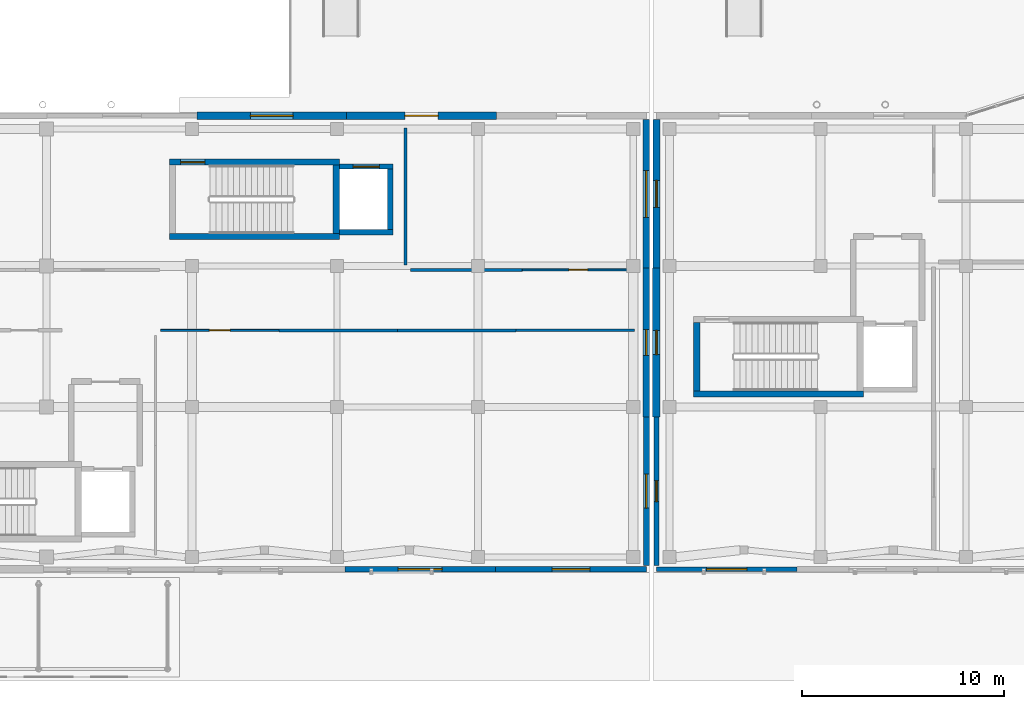
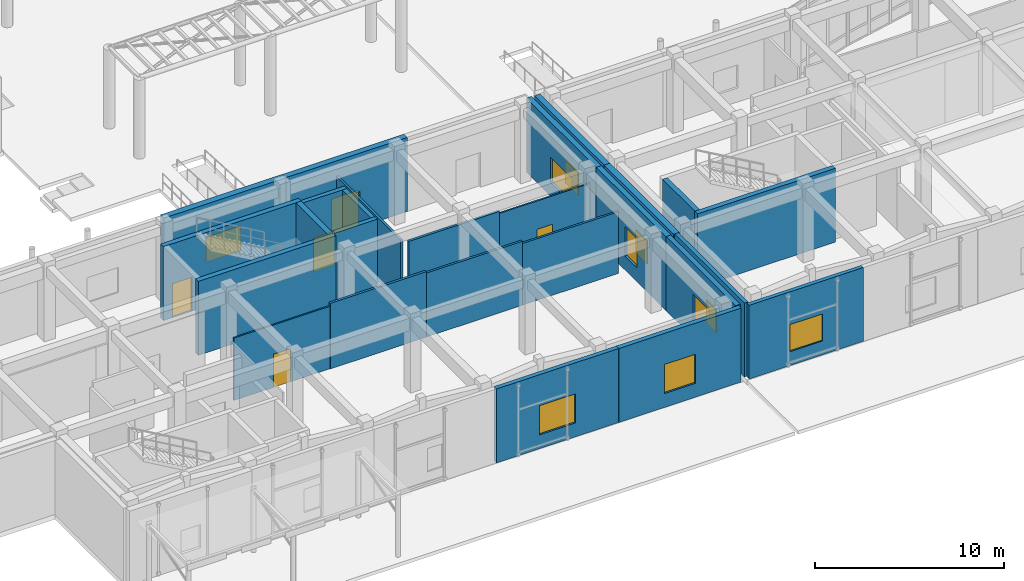
# One storey, part 96 of 121: 26 walls, 10 windows, 5 doors, 15 openings.
"""IFC4 building model written with IfcOpenShell, lengths in metres."""

from ifc_helpers import new_model, si_unit, direction, frame, frame_2d, origin, place, context, subcontext, project, spatial, rectangle, extrude, material, layer, layer_set, type_object, element, fill, save


model = new_model("IFC4")

# Units and contexts
model_context = context("Model", 3, precision=1e-05, world=origin(), true_north=direction((0.0, 1.0)))
body_context = subcontext(model_context, "Body", "Model", "MODEL_VIEW")
ifc_project = project(units=[si_unit("LENGTHUNIT", "METRE"), si_unit("AREAUNIT", "SQUARE_METRE"), si_unit("VOLUMEUNIT", "CUBIC_METRE"), si_unit("PLANEANGLEUNIT", "RADIAN"), si_unit("MASSUNIT", "GRAM", prefix="KILO")], contexts=[model_context])

# Site, building, storey
site_placement = place(None, origin())
site = spatial("IfcSite", under=ifc_project, at=site_placement, CompositionType="ELEMENT")
building_placement = place(site_placement, origin())
building = spatial("IfcBuilding", under=site, at=building_placement, Name="Valcora Specialist Clinic", CompositionType="ELEMENT")
storey_placement = place(building_placement, origin())
storey = spatial("IfcBuildingStorey", under=building, at=storey_placement, Name="L00", CompositionType="ELEMENT", Elevation=0.0)

# Wall
ifc_material_1 = material(Name="Concrete C40/50", Category="concrete")
ifc_layer_1 = layer(ifc_material_1, 0.300048828125)
ifc_layer_set_1 = layer_set([ifc_layer_1], Name="Concrete C40/50")
wall_type_1 = type_object("IfcWallType", Name="TY-WL-CR300", PredefinedType="SHEAR", material=ifc_layer_set_1)
wall_1_placement = place(storey_placement, frame((29.5, 16.64990234375, 0.0), z_axis=(0.0, 0.0, 1.0), x_axis=(1.0, 0.0, 0.0)))
element("IfcWall", 1, at=wall_1_placement, inside=storey, type_object=wall_type_1, Name="Core shear wall WL-CR-C-V5B-L00-S", PredefinedType="SHEAR", context=body_context, shape_type="SweptSolid", body=[
    extrude(rectangle(XDim=8.419921875, YDim=0.300048828125, at=frame_2d((4.2099609375, 0.0))), origin(), (0.0, 0.0, 1.0), 4.784912109375),
])

# Wall, opening, door
wall_2_placement = place(storey_placement, frame((29.5, 20.35009765625, 0.0), z_axis=(0.0, 0.0, 1.0), x_axis=(1.0, 0.0, 0.0)))
wall_2 = element("IfcWall", 2, at=wall_2_placement, inside=storey, type_object=wall_type_1, Name="Core shear wall WL-CR-C-V5B-L00-N", PredefinedType="SHEAR", context=body_context, shape_type="SweptSolid", body=[
    extrude(rectangle(XDim=8.419921875, YDim=0.300048828125, at=frame_2d((4.2099609375, 0.0))), origin(), (0.0, 0.0, 1.0), 4.784912109375),
])
opening_1_placement = place(wall_2_placement, frame((0.550048828125, 0.0, 0.0)))
opening_1 = element("IfcOpeningElement", 3, at=opening_1_placement, cuts=wall_2, Name="Opening DR-FD-120", PredefinedType="OPENING", context=body_context, shape_type="SweptSolid", body=[
    extrude(rectangle(XDim=1.199951171875, YDim=2.199951171875, at=frame_2d((0.60009765625, 1.10009765625))), frame((0.0, 0.159912109375, 0.0), z_axis=(0.0, -1.0, 0.0), x_axis=(1.0, 0.0, 0.0)), (0.0, 0.0, 1.0), 0.320068359375),
])
ifc_material_2 = material(Name="Galvanized Hollow Metal Door Steel ASTM A653", Category="steel")
door_type_1 = type_object("IfcDoorType", Name="TY-DR-ST120", OperationType="NOTDEFINED", PredefinedType="DOOR", material=ifc_material_2)
door_1_placement = place(opening_1_placement, origin())
door_1 = element("IfcDoor", 4, at=door_1_placement, inside=storey, type_object=door_type_1, Name="Exit stair fire door C-V5B L00", OperationType="SINGLE_SWING_LEFT", OverallHeight=2.199951171875, OverallWidth=1.199951171875, PredefinedType="DOOR", context=body_context, shape_type="SweptSolid", body=[
    extrude(rectangle(XDim=1.199951171875, YDim=2.199951171875, at=frame_2d((0.60009765625, 1.10009765625))), frame((0.0, 0.02490234375, 0.0), z_axis=(0.0, -1.0, 0.0), x_axis=(1.0, 0.0, 0.0)), (0.0, 0.0, 1.0), 0.050048828125),
])
fill(opening_1, door_1)

# Walls
wall_3_placement = place(storey_placement, frame((55.5, 8.85009765625, 0.0), z_axis=(0.0, 0.0, 1.0), x_axis=(1.0, 0.0, 0.0)))
element("IfcWall", 5, at=wall_3_placement, inside=storey, type_object=wall_type_1, Name="Core shear wall WL-CR-C-V6A-L00-S", PredefinedType="SHEAR", context=body_context, shape_type="SweptSolid", body=[
    extrude(rectangle(XDim=8.419921875, YDim=0.300048828125, at=frame_2d((4.2099609375, 0.0))), origin(), (0.0, 0.0, 1.0), 4.77001953125),
])
wall_4_placement = place(storey_placement, frame((55.64990234375, 9.001953125, 0.0), z_axis=(0.0, 0.0, 1.0), x_axis=(0.0, 1.0, 0.0)))
element("IfcWall", 6, at=wall_4_placement, inside=storey, type_object=wall_type_1, Name="Core shear wall WL-CR-C-V6A-L00-W", PredefinedType="SHEAR", context=body_context, shape_type="SweptSolid", body=[
    extrude(rectangle(XDim=3.39599609375, YDim=0.300048828125, at=frame_2d((1.697998046875, 0.0))), origin(), (0.0, 0.0, 1.0), 4.77001953125),
])
ifc_layer_2 = layer(ifc_material_1, 0.320068359375)
ifc_layer_set_2 = layer_set([ifc_layer_2], Name="Concrete C40/50")
wall_type_2 = type_object("IfcWallType", Name="TY-WL-CR320", PredefinedType="SHEAR", material=ifc_layer_set_2)
wall_5_placement = place(storey_placement, frame((37.760009765625, 16.802001953125, 0.0), z_axis=(0.0, 0.0, 1.0), x_axis=(0.0, 1.0, 0.0)))
element("IfcWall", 7, at=wall_5_placement, inside=storey, type_object=wall_type_2, Name="Core shear wall WL-CR-C-V5B-L00-E", PredefinedType="SHEAR", context=body_context, shape_type="SweptSolid", body=[
    extrude(rectangle(XDim=3.39599609375, YDim=0.320068359375, at=frame_2d((1.697998046875, 0.0))), origin(), (0.0, 0.0, 1.0), 4.784912109375),
])

# Wall, opening, window
ifc_material_3 = material(Name="Extruded Jalisco Clay Brick Masonry", Category="masonry")
ifc_layer_3 = layer(ifc_material_3, 0.235107421875)
ifc_layer_set_3 = layer_set([ifc_layer_3], Name="Extruded Jalisco Clay Brick Masonry")
wall_type_3 = type_object("IfcWallType", Name="TY-WL-EW235", PredefinedType="SOLIDWALL", material=ifc_layer_set_3)
wall_6_placement = place(storey_placement, frame((53.64990234375, 0.340087890625, 0.0), z_axis=(0.0, 0.0, 1.0), x_axis=(0.0, 1.0, 0.0)))
wall_6 = element("IfcWall", 8, at=wall_6_placement, inside=storey, type_object=wall_type_3, Name="Exterior wall WL-EXT-L00-0300", PredefinedType="SOLIDWALL", context=body_context, shape_type="SweptSolid", body=[
    extrude(rectangle(XDim=7.373291015625, YDim=0.235107421875, at=frame_2d((3.6865234375, 0.0))), origin(), (0.0, 0.0, 1.0), 4.77001953125),
])
opening_2_placement = place(wall_6_placement, frame((3.162109375, 0.0, 0.89990234375)))
opening_2 = element("IfcOpeningElement", 9, at=opening_2_placement, cuts=wall_6, Name="Opening WN-02", PredefinedType="OPENING", context=body_context, shape_type="SweptSolid", body=[
    extrude(rectangle(XDim=1.050048828125, YDim=1.5, at=frame_2d((0.52490234375, 0.75))), frame((0.0, 0.12744140625, 0.0), z_axis=(0.0, -1.0, 0.0), x_axis=(1.0, 0.0, 0.0)), (0.0, 0.0, 1.0), 0.255126953125),
])
ifc_material_4 = material(Name="Low-E Laminated Insulating Glass", Category="glass")
window_type_1 = type_object("IfcWindowType", Name="TY-WN-02", PartitioningType="SINGLE_PANEL", PredefinedType="WINDOW", material=ifc_material_4)
window_1_placement = place(opening_2_placement, origin())
window_1 = element("IfcWindow", 10, at=window_1_placement, inside=storey, type_object=window_type_1, Name="Facade window WN-L00-0254", OverallHeight=1.5, OverallWidth=1.050048828125, PartitioningType="SINGLE_PANEL", PredefinedType="WINDOW", context=body_context, shape_type="SweptSolid", body=[
    extrude(rectangle(XDim=1.050048828125, YDim=1.5, at=frame_2d((0.52490234375, 0.75))), frame((0.0, 0.030029296875, 0.0), z_axis=(0.0, -1.0, 0.0), x_axis=(1.0, 0.0, 0.0)), (0.0, 0.0, 1.0), 0.06005859375),
])
fill(opening_2, window_1)

wall_7_placement = place(storey_placement, frame((60.6298828125, 0.14990234375, 0.0), z_axis=(0.0, 0.0, 1.0), x_axis=(-1.0, 0.0, 0.0)))
wall_7 = element("IfcWall", 11, at=wall_7_placement, inside=storey, type_object=wall_type_3, Name="Exterior wall WL-EXT-L00-0320", PredefinedType="SOLIDWALL", context=body_context, shape_type="SweptSolid", body=[
    extrude(rectangle(XDim=6.97998046875, YDim=0.235107421875, at=frame_2d((3.489990234375, 0.0))), origin(), (0.0, 0.0, 1.0), 4.77001953125),
])
opening_3_placement = place(wall_7_placement, frame((2.489990234375, 0.0, 0.89990234375)))
opening_3 = element("IfcOpeningElement", 12, at=opening_3_placement, cuts=wall_7, Name="Opening WN-18", PredefinedType="OPENING", context=body_context, shape_type="SweptSolid", body=[
    extrude(rectangle(XDim=2.0, YDim=1.75, at=frame_2d((1.0, 0.875))), frame((0.0, 0.12744140625, 0.0), z_axis=(0.0, -1.0, 0.0), x_axis=(1.0, 0.0, 0.0)), (0.0, 0.0, 1.0), 0.255126953125),
])
window_type_2 = type_object("IfcWindowType", Name="TY-WN-18", PartitioningType="SINGLE_PANEL", PredefinedType="WINDOW", material=ifc_material_4)
window_2_placement = place(opening_3_placement, origin())
window_2 = element("IfcWindow", 13, at=window_2_placement, inside=storey, type_object=window_type_2, Name="Facade window WN-L00-0270", OverallHeight=1.75, OverallWidth=2.0, PartitioningType="SINGLE_PANEL", PredefinedType="WINDOW", context=body_context, shape_type="SweptSolid", body=[
    extrude(rectangle(XDim=2.0, YDim=1.75, at=frame_2d((1.0, 0.875))), frame((0.0, 0.030029296875, 0.0), z_axis=(0.0, -1.0, 0.0), x_axis=(1.0, 0.0, 0.0)), (0.0, 0.0, 1.0), 0.06005859375),
])
fill(opening_3, window_2)

ifc_layer_4 = layer(ifc_material_3, 0.264892578125)
ifc_layer_set_4 = layer_set([ifc_layer_4], Name="Extruded Jalisco Clay Brick Masonry")
wall_type_4 = type_object("IfcWallType", Name="TY-WL-EW265", PredefinedType="SOLIDWALL", material=ifc_layer_set_4)
wall_8_placement = place(storey_placement, frame((45.669921875, 0.14990234375, 0.0), z_axis=(0.0, 0.0, 1.0), x_axis=(-1.0, 0.0, 0.0)))
wall_8 = element("IfcWall", 14, at=wall_8_placement, inside=storey, type_object=wall_type_4, Name="Exterior wall WL-EXT-L00-0238", PredefinedType="SOLIDWALL", context=body_context, shape_type="SweptSolid", body=[
    extrude(rectangle(XDim=7.47998046875, YDim=0.264892578125, at=frame_2d((3.739990234375, 0.0))), origin(), (0.0, 0.0, 1.0), 4.784912109375),
])
opening_4_placement = place(wall_8_placement, frame((2.64990234375, 0.0, 0.89990234375)))
opening_4 = element("IfcOpeningElement", 15, at=opening_4_placement, cuts=wall_8, Name="Opening WN-42", PredefinedType="OPENING", context=body_context, shape_type="SweptSolid", body=[
    extrude(rectangle(XDim=2.179931640625, YDim=1.8798828125, at=frame_2d((1.08984375, 0.93994140625))), frame((0.0, 0.142333984375, 0.0), z_axis=(0.0, -1.0, 0.0), x_axis=(1.0, 0.0, 0.0)), (0.0, 0.0, 1.0), 0.284912109375),
])
window_type_3 = type_object("IfcWindowType", Name="TY-WN-42", PartitioningType="SINGLE_PANEL", PredefinedType="WINDOW", material=ifc_material_4)
window_3_placement = place(opening_4_placement, origin())
window_3 = element("IfcWindow", 16, at=window_3_placement, inside=storey, type_object=window_type_3, Name="Facade window WN-L00-0210", OverallHeight=1.8798828125, OverallWidth=2.179931640625, PartitioningType="SINGLE_PANEL", PredefinedType="WINDOW", context=body_context, shape_type="SweptSolid", body=[
    extrude(rectangle(XDim=2.179931640625, YDim=1.8798828125, at=frame_2d((1.08984375, 0.93994140625))), frame((0.0, 0.030029296875, 0.0), z_axis=(0.0, -1.0, 0.0), x_axis=(1.0, 0.0, 0.0)), (0.0, 0.0, 1.0), 0.06005859375),
])
fill(opening_4, window_3)

ifc_layer_5 = layer(ifc_material_3, 0.280029296875)
ifc_layer_set_5 = layer_set([ifc_layer_5], Name="Extruded Jalisco Clay Brick Masonry")
wall_type_5 = type_object("IfcWallType", Name="TY-WL-EW280", PredefinedType="SOLIDWALL", material=ifc_layer_set_5)
wall_9_placement = place(storey_placement, frame((53.14990234375, 0.14990234375, 0.0), z_axis=(0.0, 0.0, 1.0), x_axis=(-1.0, 0.0, 0.0)))
wall_9 = element("IfcWall", 17, at=wall_9_placement, inside=storey, type_object=wall_type_5, Name="Exterior wall WL-EXT-L00-0237", PredefinedType="SOLIDWALL", context=body_context, shape_type="SweptSolid", body=[
    extrude(rectangle(XDim=7.47998046875, YDim=0.280029296875, at=frame_2d((3.739990234375, 0.0))), origin(), (0.0, 0.0, 1.0), 4.784912109375),
])
opening_5_placement = place(wall_9_placement, frame((2.800048828125, 0.0, 0.89990234375)))
opening_5 = element("IfcOpeningElement", 18, at=opening_5_placement, cuts=wall_9, Name="Opening WN-41", PredefinedType="OPENING", context=body_context, shape_type="SweptSolid", body=[
    extrude(rectangle(XDim=1.8798828125, YDim=1.8798828125, at=frame_2d((0.93994140625, 0.93994140625))), frame((0.0, 0.14990234375, 0.0), z_axis=(0.0, -1.0, 0.0), x_axis=(1.0, 0.0, 0.0)), (0.0, 0.0, 1.0), 0.300048828125),
])
window_type_4 = type_object("IfcWindowType", Name="TY-WN-41", PartitioningType="SINGLE_PANEL", PredefinedType="WINDOW", material=ifc_material_4)
window_4_placement = place(opening_5_placement, origin())
window_4 = element("IfcWindow", 19, at=window_4_placement, inside=storey, type_object=window_type_4, Name="Facade window WN-L00-0209", OverallHeight=1.8798828125, OverallWidth=1.8798828125, PartitioningType="SINGLE_PANEL", PredefinedType="WINDOW", context=body_context, shape_type="SweptSolid", body=[
    extrude(rectangle(XDim=1.8798828125, YDim=1.8798828125, at=frame_2d((0.93994140625, 0.93994140625))), frame((0.0, 0.030029296875, 0.0), z_axis=(0.0, -1.0, 0.0), x_axis=(1.0, 0.0, 0.0)), (0.0, 0.0, 1.0), 0.06005859375),
])
fill(opening_5, window_4)

ifc_layer_6 = layer(ifc_material_3, 0.294921875)
ifc_layer_set_6 = layer_set([ifc_layer_6], Name="Extruded Jalisco Clay Brick Masonry")
wall_type_6 = type_object("IfcWallType", Name="TY-WL-EW295", PredefinedType="SOLIDWALL", material=ifc_layer_set_6)
wall_10_placement = place(storey_placement, frame((53.14990234375, 7.71337890625, 0.0), z_axis=(0.0, 0.0, 1.0), x_axis=(0.0, -1.0, 0.0)))
wall_10 = element("IfcWall", 20, at=wall_10_placement, inside=storey, type_object=wall_type_6, Name="Exterior wall WL-EXT-L00-0236", PredefinedType="SOLIDWALL", context=body_context, shape_type="SweptSolid", body=[
    extrude(rectangle(XDim=7.373291015625, YDim=0.294921875, at=frame_2d((3.6865234375, 0.0))), origin(), (0.0, 0.0, 1.0), 4.784912109375),
])
opening_6_placement = place(wall_10_placement, frame((2.846923828125, 0.0, 0.89990234375)))
opening_6 = element("IfcOpeningElement", 21, at=opening_6_placement, cuts=wall_10, Name="Opening WN-40", PredefinedType="OPENING", context=body_context, shape_type="SweptSolid", body=[
    extrude(rectangle(XDim=1.679931640625, YDim=1.8798828125, at=frame_2d((0.83984375, 0.93994140625))), frame((0.0, 0.157470703125, 0.0), z_axis=(0.0, -1.0, 0.0), x_axis=(1.0, 0.0, 0.0)), (0.0, 0.0, 1.0), 0.31494140625),
])
window_type_5 = type_object("IfcWindowType", Name="TY-WN-40", PartitioningType="SINGLE_PANEL", PredefinedType="WINDOW", material=ifc_material_4)
window_5_placement = place(opening_6_placement, origin())
window_5 = element("IfcWindow", 22, at=window_5_placement, inside=storey, type_object=window_type_5, Name="Facade window WN-L00-0208", OverallHeight=1.8798828125, OverallWidth=1.679931640625, PartitioningType="SINGLE_PANEL", PredefinedType="WINDOW", context=body_context, shape_type="SweptSolid", body=[
    extrude(rectangle(XDim=1.679931640625, YDim=1.8798828125, at=frame_2d((0.83984375, 0.93994140625))), frame((0.0, 0.030029296875, 0.0), z_axis=(0.0, -1.0, 0.0), x_axis=(1.0, 0.0, 0.0)), (0.0, 0.0, 1.0), 0.06005859375),
])
fill(opening_6, window_5)

ifc_layer_7 = layer(ifc_material_3, 0.31005859375)
ifc_layer_set_7 = layer_set([ifc_layer_7], Name="Extruded Jalisco Clay Brick Masonry")
wall_type_7 = type_object("IfcWallType", Name="TY-WL-EW310", PredefinedType="SOLIDWALL", material=ifc_layer_set_7)
wall_11_placement = place(storey_placement, frame((53.14990234375, 15.086669921875, 0.0), z_axis=(0.0, 0.0, 1.0), x_axis=(0.0, -1.0, 0.0)))
wall_11 = element("IfcWall", 23, at=wall_11_placement, inside=storey, type_object=wall_type_7, Name="Exterior wall WL-EXT-L00-0235", PredefinedType="SOLIDWALL", context=body_context, shape_type="SweptSolid", body=[
    extrude(rectangle(XDim=7.373291015625, YDim=0.31005859375, at=frame_2d((3.6865234375, 0.0))), origin(), (0.0, 0.0, 1.0), 4.784912109375),
])
opening_7_placement = place(wall_11_placement, frame((3.047119140625, 0.0, 0.89990234375)))
opening_7 = element("IfcOpeningElement", 24, at=opening_7_placement, cuts=wall_11, Name="Opening WN-39", PredefinedType="OPENING", context=body_context, shape_type="SweptSolid", body=[
    extrude(rectangle(XDim=1.280029296875, YDim=1.8798828125, at=frame_2d((0.64013671875, 0.93994140625))), frame((0.0, 0.1650390625, 0.0), z_axis=(0.0, -1.0, 0.0), x_axis=(1.0, 0.0, 0.0)), (0.0, 0.0, 1.0), 0.330078125),
])
window_type_6 = type_object("IfcWindowType", Name="TY-WN-39", PartitioningType="SINGLE_PANEL", PredefinedType="WINDOW", material=ifc_material_4)
window_6_placement = place(opening_7_placement, origin())
window_6 = element("IfcWindow", 25, at=window_6_placement, inside=storey, type_object=window_type_6, Name="Facade window WN-L00-0207", OverallHeight=1.8798828125, OverallWidth=1.280029296875, PartitioningType="SINGLE_PANEL", PredefinedType="WINDOW", context=body_context, shape_type="SweptSolid", body=[
    extrude(rectangle(XDim=1.280029296875, YDim=1.8798828125, at=frame_2d((0.64013671875, 0.93994140625))), frame((0.0, 0.030029296875, 0.0), z_axis=(0.0, -1.0, 0.0), x_axis=(1.0, 0.0, 0.0)), (0.0, 0.0, 1.0), 0.06005859375),
])
fill(opening_7, window_6)

ifc_layer_8 = layer(ifc_material_3, 0.324951171875)
ifc_layer_set_8 = layer_set([ifc_layer_8], Name="Extruded Jalisco Clay Brick Masonry")
wall_type_8 = type_object("IfcWallType", Name="TY-WL-EW325", PredefinedType="SOLIDWALL", material=ifc_layer_set_8)
wall_12_placement = place(storey_placement, frame((53.14990234375, 22.4599609375, 0.0), z_axis=(0.0, 0.0, 1.0), x_axis=(0.0, -1.0, 0.0)))
wall_12 = element("IfcWall", 26, at=wall_12_placement, inside=storey, type_object=wall_type_8, Name="Exterior wall WL-EXT-L00-0234", PredefinedType="SOLIDWALL", context=body_context, shape_type="SweptSolid", body=[
    extrude(rectangle(XDim=7.373291015625, YDim=0.324951171875, at=frame_2d((3.6865234375, 0.0))), origin(), (0.0, 0.0, 1.0), 4.784912109375),
])
opening_8_placement = place(wall_12_placement, frame((2.527099609375, 0.0, 0.89990234375)))
opening_8 = element("IfcOpeningElement", 27, at=opening_8_placement, cuts=wall_12, Name="Opening WN-38", PredefinedType="OPENING", context=body_context, shape_type="SweptSolid", body=[
    extrude(rectangle(XDim=2.320068359375, YDim=1.6201171875, at=frame_2d((1.16015625, 0.81005859375))), frame((0.0, 0.17236328125, 0.0), z_axis=(0.0, -1.0, 0.0), x_axis=(1.0, 0.0, 0.0)), (0.0, 0.0, 1.0), 0.344970703125),
])
window_type_7 = type_object("IfcWindowType", Name="TY-WN-38", PartitioningType="SINGLE_PANEL", PredefinedType="WINDOW", material=ifc_material_4)
window_7_placement = place(opening_8_placement, origin())
window_7 = element("IfcWindow", 28, at=window_7_placement, inside=storey, type_object=window_type_7, Name="Facade window WN-L00-0206", OverallHeight=1.6201171875, OverallWidth=2.320068359375, PartitioningType="SINGLE_PANEL", PredefinedType="WINDOW", context=body_context, shape_type="SweptSolid", body=[
    extrude(rectangle(XDim=2.320068359375, YDim=1.6201171875, at=frame_2d((1.16015625, 0.81005859375))), frame((0.0, 0.030029296875, 0.0), z_axis=(0.0, -1.0, 0.0), x_axis=(1.0, 0.0, 0.0)), (0.0, 0.0, 1.0), 0.06005859375),
])
fill(opening_8, window_7)

# Wall, opening, door
ifc_layer_9 = layer(ifc_material_3, 0.35498046875)
ifc_layer_set_9 = layer_set([ifc_layer_9], Name="Extruded Jalisco Clay Brick Masonry")
wall_type_9 = type_object("IfcWallType", Name="TY-WL-EW355", PredefinedType="SOLIDWALL", material=ifc_layer_set_9)
wall_13_placement = place(storey_placement, frame((38.283203125, 22.64990234375, 0.0), z_axis=(0.0, 0.0, 1.0), x_axis=(1.0, 0.0, 0.0)))
wall_13 = element("IfcWall", 29, at=wall_13_placement, inside=storey, type_object=wall_type_9, Name="Exterior wall WL-EXT-L00-0232", PredefinedType="SOLIDWALL", context=body_context, shape_type="SweptSolid", body=[
    extrude(rectangle(XDim=7.43359375, YDim=0.35498046875, at=frame_2d((3.716796875, 0.0))), origin(), (0.0, 0.0, 1.0), 4.784912109375),
])
opening_9_placement = place(wall_13_placement, frame((2.89208984375, 0.0, 0.0)))
opening_9 = element("IfcOpeningElement", 30, at=opening_9_placement, cuts=wall_13, Name="Opening DR-EX-165", PredefinedType="OPENING", context=body_context, shape_type="SweptSolid", body=[
    extrude(rectangle(XDim=1.64990234375, YDim=2.300048828125, at=frame_2d((0.824951171875, 1.14990234375))), frame((0.0, 0.1875, 0.0), z_axis=(0.0, -1.0, 0.0), x_axis=(1.0, 0.0, 0.0)), (0.0, 0.0, 1.0), 0.375),
])
ifc_material_5 = material(Name="Anodized Bronze Aluminium 6063-T6", Category="aluminium")
door_type_2 = type_object("IfcDoorType", Name="TY-DR-EX165", OperationType="NOTDEFINED", PredefinedType="DOOR", material=ifc_material_5)
door_2_placement = place(opening_9_placement, origin())
door_2 = element("IfcDoor", 31, at=door_2_placement, inside=storey, type_object=door_type_2, Name="Exterior door DR-EXT-L00-014", OperationType="SINGLE_SWING_RIGHT", OverallHeight=2.300048828125, OverallWidth=1.64990234375, PredefinedType="DOOR", context=body_context, shape_type="SweptSolid", body=[
    extrude(rectangle(XDim=1.64990234375, YDim=2.300048828125, at=frame_2d((0.824951171875, 1.14990234375))), frame((0.0, 0.02490234375, 0.0), z_axis=(0.0, -1.0, 0.0), x_axis=(1.0, 0.0, 0.0)), (0.0, 0.0, 1.0), 0.050048828125),
])
fill(opening_9, door_2)

# Wall, opening, window
wall_14_placement = place(storey_placement, frame((53.64990234375, 15.086669921875, 0.0), z_axis=(0.0, 0.0, 1.0), x_axis=(0.0, 1.0, 0.0)))
wall_14 = element("IfcWall", 32, at=wall_14_placement, inside=storey, type_object=wall_type_9, Name="Exterior wall WL-EXT-L00-0302", PredefinedType="SOLIDWALL", context=body_context, shape_type="SweptSolid", body=[
    extrude(rectangle(XDim=7.373291015625, YDim=0.35498046875, at=frame_2d((3.6865234375, 0.0))), origin(), (0.0, 0.0, 1.0), 4.77001953125),
])
opening_10_placement = place(wall_14_placement, frame((3.011962890625, 0.0, 0.89990234375)))
opening_10 = element("IfcOpeningElement", 33, at=opening_10_placement, cuts=wall_14, Name="Opening WN-04", PredefinedType="OPENING", context=body_context, shape_type="SweptSolid", body=[
    extrude(rectangle(XDim=1.35009765625, YDim=1.5, at=frame_2d((0.675048828125, 0.75))), frame((0.0, 0.1875, 0.0), z_axis=(0.0, -1.0, 0.0), x_axis=(1.0, 0.0, 0.0)), (0.0, 0.0, 1.0), 0.375),
])
window_type_8 = type_object("IfcWindowType", Name="TY-WN-04", PartitioningType="SINGLE_PANEL", PredefinedType="WINDOW", material=ifc_material_4)
window_8_placement = place(opening_10_placement, origin())
window_8 = element("IfcWindow", 34, at=window_8_placement, inside=storey, type_object=window_type_8, Name="Facade window WN-L00-0256", OverallHeight=1.5, OverallWidth=1.35009765625, PartitioningType="SINGLE_PANEL", PredefinedType="WINDOW", context=body_context, shape_type="SweptSolid", body=[
    extrude(rectangle(XDim=1.35009765625, YDim=1.5, at=frame_2d((0.675048828125, 0.75))), frame((0.0, 0.030029296875, 0.0), z_axis=(0.0, -1.0, 0.0), x_axis=(1.0, 0.0, 0.0)), (0.0, 0.0, 1.0), 0.06005859375),
])
fill(opening_10, window_8)

ifc_layer_10 = layer(ifc_material_3, 0.3701171875)
ifc_layer_set_10 = layer_set([ifc_layer_10], Name="Extruded Jalisco Clay Brick Masonry")
wall_type_10 = type_object("IfcWallType", Name="TY-WL-EW370", PredefinedType="SOLIDWALL", material=ifc_layer_set_10)
wall_15_placement = place(storey_placement, frame((30.85009765625, 22.64990234375, 0.0), z_axis=(0.0, 0.0, 1.0), x_axis=(1.0, 0.0, 0.0)))
wall_15 = element("IfcWall", 35, at=wall_15_placement, inside=storey, type_object=wall_type_10, Name="Exterior wall WL-EXT-L00-0231", PredefinedType="SOLIDWALL", context=body_context, shape_type="SweptSolid", body=[
    extrude(rectangle(XDim=7.43310546875, YDim=0.3701171875, at=frame_2d((3.716552734375, 0.0))), origin(), (0.0, 0.0, 1.0), 4.784912109375),
])
opening_11_placement = place(wall_15_placement, frame((2.656982421875, 0.0, 0.89990234375)))
opening_11 = element("IfcOpeningElement", 36, at=opening_11_placement, cuts=wall_15, Name="Opening WN-37", PredefinedType="OPENING", context=body_context, shape_type="SweptSolid", body=[
    extrude(rectangle(XDim=2.1201171875, YDim=1.6201171875, at=frame_2d((1.06005859375, 0.81005859375))), frame((0.0, 0.195068359375, 0.0), z_axis=(0.0, -1.0, 0.0), x_axis=(1.0, 0.0, 0.0)), (0.0, 0.0, 1.0), 0.39013671875),
])
window_type_9 = type_object("IfcWindowType", Name="TY-WN-37", PartitioningType="SINGLE_PANEL", PredefinedType="WINDOW", material=ifc_material_4)
window_9_placement = place(opening_11_placement, origin())
window_9 = element("IfcWindow", 37, at=window_9_placement, inside=storey, type_object=window_type_9, Name="Facade window WN-L00-0205", OverallHeight=1.6201171875, OverallWidth=2.1201171875, PartitioningType="SINGLE_PANEL", PredefinedType="WINDOW", context=body_context, shape_type="SweptSolid", body=[
    extrude(rectangle(XDim=2.1201171875, YDim=1.6201171875, at=frame_2d((1.06005859375, 0.81005859375))), frame((0.0, 0.030029296875, 0.0), z_axis=(0.0, -1.0, 0.0), x_axis=(1.0, 0.0, 0.0)), (0.0, 0.0, 1.0), 0.06005859375),
])
fill(opening_11, window_9)

wall_16_placement = place(storey_placement, frame((53.64990234375, 7.71337890625, 0.0), z_axis=(0.0, 0.0, 1.0), x_axis=(0.0, 1.0, 0.0)))
wall_16 = element("IfcWall", 38, at=wall_16_placement, inside=storey, type_object=wall_type_10, Name="Exterior wall WL-EXT-L00-0301", PredefinedType="SOLIDWALL", context=body_context, shape_type="SweptSolid", body=[
    extrude(rectangle(XDim=7.373291015625, YDim=0.3701171875, at=frame_2d((3.6865234375, 0.0))), origin(), (0.0, 0.0, 1.0), 4.77001953125),
])
opening_12_placement = place(wall_16_placement, frame((3.0869140625, 0.0, 0.89990234375)))
opening_12 = element("IfcOpeningElement", 39, at=opening_12_placement, cuts=wall_16, Name="Opening WN-03", PredefinedType="OPENING", context=body_context, shape_type="SweptSolid", body=[
    extrude(rectangle(XDim=1.199951171875, YDim=1.5, at=frame_2d((0.60009765625, 0.75))), frame((0.0, 0.195068359375, 0.0), z_axis=(0.0, -1.0, 0.0), x_axis=(1.0, 0.0, 0.0)), (0.0, 0.0, 1.0), 0.39013671875),
])
window_type_10 = type_object("IfcWindowType", Name="TY-WN-03", PartitioningType="SINGLE_PANEL", PredefinedType="WINDOW", material=ifc_material_4)
window_10_placement = place(opening_12_placement, origin())
window_10 = element("IfcWindow", 40, at=window_10_placement, inside=storey, type_object=window_type_10, Name="Facade window WN-L00-0255", OverallHeight=1.5, OverallWidth=1.199951171875, PartitioningType="SINGLE_PANEL", PredefinedType="WINDOW", context=body_context, shape_type="SweptSolid", body=[
    extrude(rectangle(XDim=1.199951171875, YDim=1.5, at=frame_2d((0.60009765625, 0.75))), frame((0.0, 0.030029296875, 0.0), z_axis=(0.0, -1.0, 0.0), x_axis=(1.0, 0.0, 0.0)), (0.0, 0.0, 1.0), 0.06005859375),
])
fill(opening_12, window_10)

# Wall, opening, door
ifc_material_6 = material(Name="Gypsum Board Partition Assembly")
ifc_layer_11 = layer(ifc_material_6, 0.094970703125)
ifc_layer_set_11 = layer_set([ifc_layer_11], Name="Gypsum Board Partition Assembly")
wall_type_11 = type_object("IfcWallType", Name="TY-WL-PT095", PredefinedType="PARTITIONING", material=ifc_layer_set_11)
wall_17_placement = place(storey_placement, frame((29.050048828125, 12.0, 0.0), z_axis=(0.0, 0.0, 1.0), x_axis=(1.0, 0.0, 0.0)))
wall_17 = element("IfcWall", 41, at=wall_17_placement, inside=storey, type_object=wall_type_11, Name="Interior partition WL-INT-L00-0119", PredefinedType="PARTITIONING", context=body_context, shape_type="SweptSolid", body=[
    extrude(rectangle(XDim=5.875, YDim=0.094970703125, at=frame_2d((2.9375, 0.0))), origin(), (0.0, 0.0, 1.0), 4.034912109375),
])
opening_13_placement = place(wall_17_placement, frame((2.406982421875, 0.0, 0.0)))
opening_13 = element("IfcOpeningElement", 42, at=opening_13_placement, cuts=wall_17, Name="Opening DR-CN-106", PredefinedType="OPENING", context=body_context, shape_type="SweptSolid", body=[
    extrude(rectangle(XDim=1.06005859375, YDim=2.14990234375, at=frame_2d((0.530029296875, 1.074951171875))), frame((0.0, 0.057373046875, 0.0), z_axis=(0.0, -1.0, 0.0), x_axis=(1.0, 0.0, 0.0)), (0.0, 0.0, 1.0), 0.114990234375),
])
ifc_material_7 = material(Name="Glulam Conifer Class 24F", Category="wood")
door_type_3 = type_object("IfcDoorType", Name="TY-DR-CN106", OperationType="NOTDEFINED", PredefinedType="DOOR", material=ifc_material_7)
door_3_placement = place(opening_13_placement, origin())
door_3 = element("IfcDoor", 43, at=door_3_placement, inside=storey, type_object=door_type_3, Name="Interior door DR-INT-L00-0033", OperationType="SINGLE_SWING_LEFT", OverallHeight=2.14990234375, OverallWidth=1.06005859375, PredefinedType="DOOR", context=body_context, shape_type="SweptSolid", body=[
    extrude(rectangle(XDim=1.06005859375, YDim=2.14990234375, at=frame_2d((0.530029296875, 1.074951171875))), frame((0.0, 0.02490234375, 0.0), z_axis=(0.0, -1.0, 0.0), x_axis=(1.0, 0.0, 0.0)), (0.0, 0.0, 1.0), 0.050048828125),
])
fill(opening_13, door_3)

wall_18_placement = place(storey_placement, frame((52.550048828125, 15.0, 0.0), z_axis=(0.0, 0.0, 1.0), x_axis=(-1.0, 0.0, 0.0)))
wall_18 = element("IfcWall", 44, at=wall_18_placement, inside=storey, type_object=wall_type_11, Name="Interior partition WL-INT-L00-0125", PredefinedType="PARTITIONING", context=body_context, shape_type="SweptSolid", body=[
    extrude(rectangle(XDim=5.550048828125, YDim=0.094970703125, at=frame_2d((2.77490234375, 0.0))), origin(), (0.0, 0.0, 1.0), 3.985107421875),
])
opening_14_placement = place(wall_18_placement, frame((2.300048828125, 0.0, 0.0)))
opening_14 = element("IfcOpeningElement", 45, at=opening_14_placement, cuts=wall_18, Name="Opening DR-WC-095", PredefinedType="OPENING", context=body_context, shape_type="SweptSolid", body=[
    extrude(rectangle(XDim=0.949951171875, YDim=2.14990234375, at=frame_2d((0.47509765625, 1.074951171875))), frame((0.0, 0.057373046875, 0.0), z_axis=(0.0, -1.0, 0.0), x_axis=(1.0, 0.0, 0.0)), (0.0, 0.0, 1.0), 0.114990234375),
])
door_type_4 = type_object("IfcDoorType", Name="TY-DR-WC095", OperationType="NOTDEFINED", PredefinedType="DOOR", material=ifc_material_7)
door_4_placement = place(opening_14_placement, origin())
door_4 = element("IfcDoor", 46, at=door_4_placement, inside=storey, type_object=door_type_4, Name="Interior door DR-INT-L00-0034", OperationType="SINGLE_SWING_RIGHT", OverallHeight=2.14990234375, OverallWidth=0.949951171875, PredefinedType="DOOR", context=body_context, shape_type="SweptSolid", body=[
    extrude(rectangle(XDim=0.949951171875, YDim=2.14990234375, at=frame_2d((0.47509765625, 1.074951171875))), frame((0.0, 0.02490234375, 0.0), z_axis=(0.0, -1.0, 0.0), x_axis=(1.0, 0.0, 0.0)), (0.0, 0.0, 1.0), 0.050048828125),
])
fill(opening_14, door_4)

# Walls
ifc_layer_12 = layer(ifc_material_6, 0.125)
ifc_layer_set_12 = layer_set([ifc_layer_12], Name="Gypsum Board Partition Assembly")
wall_type_12 = type_object("IfcWallType", Name="TY-WL-PT125", PredefinedType="PARTITIONING", material=ifc_layer_set_12)
wall_19_placement = place(storey_placement, frame((46.675048828125, 12.0, 0.0), z_axis=(0.0, 0.0, 1.0), x_axis=(1.0, 0.0, 0.0)))
element("IfcWall", 47, at=wall_19_placement, inside=storey, type_object=wall_type_12, Name="Interior partition WL-INT-L00-0122", PredefinedType="PARTITIONING", context=body_context, shape_type="SweptSolid", body=[
    extrude(rectangle(XDim=5.875, YDim=0.125, at=frame_2d((2.9375, 0.0))), origin(), (0.0, 0.0, 1.0), 3.985107421875),
])
ifc_layer_13 = layer(ifc_material_6, 0.135009765625)
ifc_layer_set_13 = layer_set([ifc_layer_13], Name="Gypsum Board Partition Assembly")
wall_type_13 = type_object("IfcWallType", Name="TY-WL-PT135", PredefinedType="PARTITIONING", material=ifc_layer_set_13)
wall_20_placement = place(storey_placement, frame((40.800048828125, 12.0, 0.0), z_axis=(0.0, 0.0, 1.0), x_axis=(1.0, 0.0, 0.0)))
element("IfcWall", 48, at=wall_20_placement, inside=storey, type_object=wall_type_13, Name="Interior partition WL-INT-L00-0121", PredefinedType="PARTITIONING", context=body_context, shape_type="SweptSolid", body=[
    extrude(rectangle(XDim=5.875, YDim=0.135009765625, at=frame_2d((2.9375, 0.0))), origin(), (0.0, 0.0, 1.0), 4.135009765625),
])
wall_21_placement = place(storey_placement, frame((41.199951171875, 15.25, 0.0), z_axis=(0.0, 0.0, 1.0), x_axis=(0.0, 1.0, 0.0)))
element("IfcWall", 49, at=wall_21_placement, inside=storey, type_object=wall_type_13, Name="Interior partition WL-INT-L00-0127", PredefinedType="PARTITIONING", context=body_context, shape_type="SweptSolid", body=[
    extrude(rectangle(XDim=6.800048828125, YDim=0.135009765625, at=frame_2d((3.39990234375, 0.0))), origin(), (0.0, 0.0, 1.0), 4.135009765625),
])
ifc_layer_14 = layer(ifc_material_6, 0.14501953125)
ifc_layer_set_14 = layer_set([ifc_layer_14], Name="Gypsum Board Partition Assembly")
wall_type_14 = type_object("IfcWallType", Name="TY-WL-PT145", PredefinedType="PARTITIONING", material=ifc_layer_set_14)
wall_22_placement = place(storey_placement, frame((34.925048828125, 12.0, 0.0), z_axis=(0.0, 0.0, 1.0), x_axis=(1.0, 0.0, 0.0)))
element("IfcWall", 50, at=wall_22_placement, inside=storey, type_object=wall_type_14, Name="Interior partition WL-INT-L00-0120", PredefinedType="PARTITIONING", context=body_context, shape_type="SweptSolid", body=[
    extrude(rectangle(XDim=5.875, YDim=0.14501953125, at=frame_2d((2.9375, 0.0))), origin(), (0.0, 0.0, 1.0), 4.235107421875),
])
wall_23_placement = place(storey_placement, frame((47.0, 15.0, 0.0), z_axis=(0.0, 0.0, 1.0), x_axis=(-1.0, 0.0, 0.0)))
element("IfcWall", 51, at=wall_23_placement, inside=storey, type_object=wall_type_14, Name="Interior partition WL-INT-L00-0126", PredefinedType="PARTITIONING", context=body_context, shape_type="SweptSolid", body=[
    extrude(rectangle(XDim=5.550048828125, YDim=0.14501953125, at=frame_2d((2.77490234375, 0.0))), origin(), (0.0, 0.0, 1.0), 4.135009765625),
])
ifc_layer_15 = layer(ifc_material_1, 0.260009765625)
ifc_layer_set_15 = layer_set([ifc_layer_15], Name="Concrete C40/50")
wall_type_15 = type_object("IfcWallType", Name="TY-WL-SH260", PredefinedType="SHEAR", material=ifc_layer_set_15)
wall_24_placement = place(storey_placement, frame((37.922119140625, 16.8701171875, 0.0), z_axis=(0.0, 0.0, 1.0), x_axis=(1.0, 0.0, 0.0)))
element("IfcWall", 52, at=wall_24_placement, inside=storey, type_object=wall_type_15, Name="Lift shaft wall WL-LF-LF-06-L00-LS", PredefinedType="SHEAR", context=body_context, shape_type="SweptSolid", body=[
    extrude(rectangle(XDim=2.657958984375, YDim=0.260009765625, at=frame_2d((1.3291015625, 0.0))), origin(), (0.0, 0.0, 1.0), 4.784912109375),
])

# Wall, opening, door
wall_25_placement = place(storey_placement, frame((37.922119140625, 20.1298828125, 0.0), z_axis=(0.0, 0.0, 1.0), x_axis=(1.0, 0.0, 0.0)))
wall_25 = element("IfcWall", 53, at=wall_25_placement, inside=storey, type_object=wall_type_15, Name="Lift shaft wall WL-LF-LF-06-L00-LN", PredefinedType="SHEAR", context=body_context, shape_type="SweptSolid", body=[
    extrude(rectangle(XDim=2.657958984375, YDim=0.260009765625, at=frame_2d((1.3291015625, 0.0))), origin(), (0.0, 0.0, 1.0), 4.784912109375),
])
opening_15_placement = place(wall_25_placement, frame((0.678955078125, 0.0, 0.0)))
opening_15 = element("IfcOpeningElement", 54, at=opening_15_placement, cuts=wall_25, Name="Opening LD-130", PredefinedType="OPENING", context=body_context, shape_type="SweptSolid", body=[
    extrude(rectangle(XDim=1.300048828125, YDim=2.199951171875, at=frame_2d((0.64990234375, 1.10009765625))), frame((0.0, 0.139892578125, 0.0), z_axis=(0.0, -1.0, 0.0), x_axis=(1.0, 0.0, 0.0)), (0.0, 0.0, 1.0), 0.280029296875),
])
ifc_material_8 = material(Name="Stainless Steel AISI 316", Category="steel")
door_type_5 = type_object("IfcDoorType", Name="TY-LD-130", OperationType="NOTDEFINED", PredefinedType="DOOR", material=ifc_material_8)
door_5_placement = place(opening_15_placement, origin())
door_5 = element("IfcDoor", 55, at=door_5_placement, inside=storey, type_object=door_type_5, Name="Lift landing sliding door LF-06 L00", OperationType="SLIDING_TO_LEFT", OverallHeight=2.199951171875, OverallWidth=1.300048828125, PredefinedType="DOOR", context=body_context, shape_type="SweptSolid", body=[
    extrude(rectangle(XDim=1.300048828125, YDim=2.199951171875, at=frame_2d((0.64990234375, 1.10009765625))), frame((0.0, 0.02490234375, 0.0), z_axis=(0.0, -1.0, 0.0), x_axis=(1.0, 0.0, 0.0)), (0.0, 0.0, 1.0), 0.050048828125),
])
fill(opening_15, door_5)

# Wall
wall_26_placement = place(storey_placement, frame((40.449951171875, 17.001953125, 0.0), z_axis=(0.0, 0.0, 1.0), x_axis=(0.0, 1.0, 0.0)))
element("IfcWall", 56, at=wall_26_placement, inside=storey, type_object=wall_type_15, Name="Lift shaft wall WL-LF-LF-06-L00-LE", PredefinedType="SHEAR", context=body_context, shape_type="SweptSolid", body=[
    extrude(rectangle(XDim=2.99609375, YDim=0.260009765625, at=frame_2d((1.498046875, 0.0))), origin(), (0.0, 0.0, 1.0), 4.784912109375),
])

save(model, "model.ifc")
